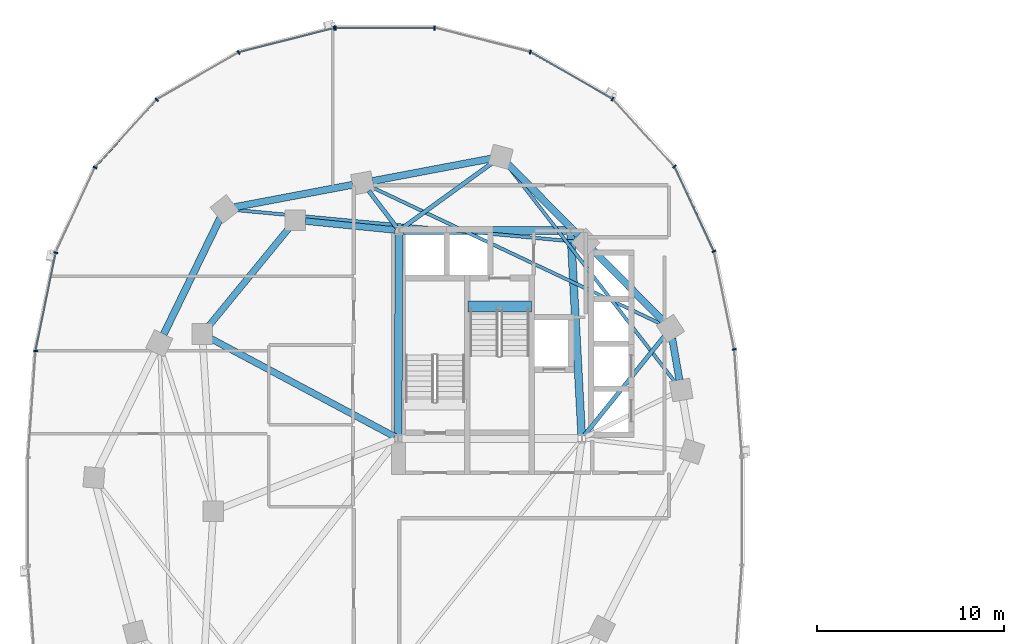
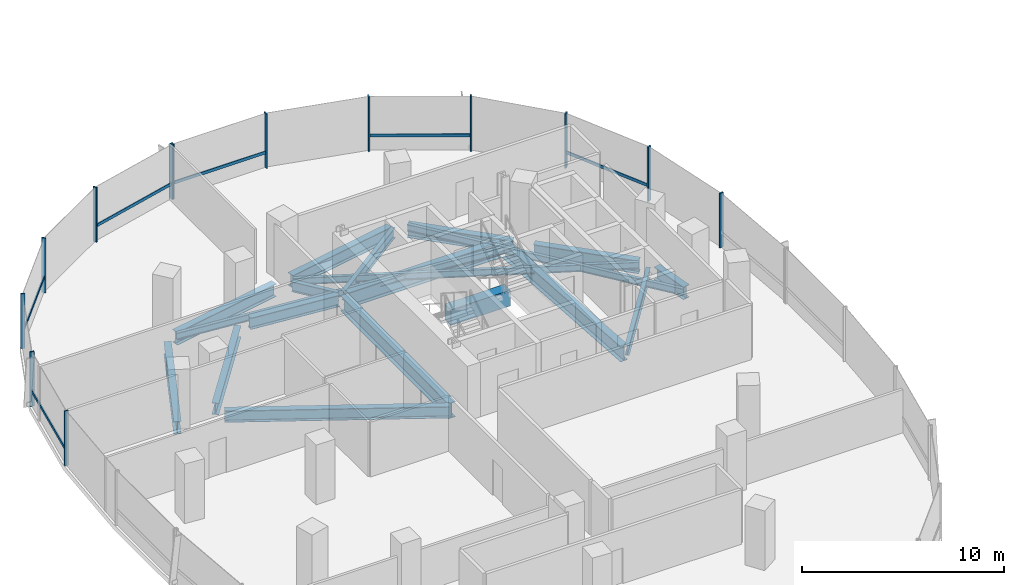
# One storey, part 4 of 21: 19 beams, 19 members, 2 elements without a shape of their own.
"""IFC4 building model written with IfcOpenShell, lengths in metres."""

from ifc_helpers import new_model, si_unit, direction, frame, origin, origin_2d, place, context, subcontext, project, spatial, rectangle, i_section, extrude, material, material_profile, profile_set, type_object, element, aggregate, save


model = new_model("IFC4")

# Units and contexts
model_context = context("Model", 3, precision=1e-05, world=origin(), true_north=direction((0.0, 1.0)))
body_context = subcontext(model_context, "Body", "Model", "MODEL_VIEW")
ifc_project = project(units=[si_unit("LENGTHUNIT", "METRE"), si_unit("AREAUNIT", "SQUARE_METRE"), si_unit("VOLUMEUNIT", "CUBIC_METRE"), si_unit("PLANEANGLEUNIT", "RADIAN"), si_unit("MASSUNIT", "GRAM", prefix="KILO"), si_unit("THERMODYNAMICTEMPERATUREUNIT", "KELVIN"), si_unit("POWERUNIT", "WATT")], contexts=[model_context])

# Site, building, storey
site_placement = place(None, origin())
site = spatial("IfcSite", under=ifc_project, at=site_placement, CompositionType="ELEMENT")
building_placement = place(site_placement, origin())
building = spatial("IfcBuilding", under=site, at=building_placement, Name="Cundina Bronze Exchange", CompositionType="ELEMENT")
storey_placement = place(building_placement, frame((0.0, 0.0, 107.0)))
storey = spatial("IfcBuildingStorey", under=building, at=storey_placement, Name="L27", CompositionType="ELEMENT", Elevation=107.0)

# Beams
ifc_material_1 = material(Name="Concrete C60/75", Category="concrete")
ifc_material_profile_1 = material_profile(ifc_material_1, rectangle(XDim=0.60009765625, YDim=0.949951171875, at=origin_2d()), Name="RC600X950", Category="concrete")
ifc_profile_set_1 = profile_set([ifc_material_profile_1], Name="Concrete C60/75")
beam_type_1 = type_object("IfcBeamType", Name="BM-COUP-RC950", PredefinedType="LINTEL", material=ifc_profile_set_1)
beam_1_placement = place(storey_placement, frame((-27.56005859375, 10.97998046875, -0.47509765625), z_axis=(1.0, 0.0, 0.0), x_axis=(0.0, 1.0, 0.0)))
element("IfcBeam", 1, at=beam_1_placement, inside=storey, type_object=beam_type_1, Name="L27 Stair W2 Landing Header Beam", PredefinedType="LINTEL", context=body_context, shape_type="SweptSolid", body=[
    extrude(rectangle(XDim=0.60009765625, YDim=0.949951171875, at=origin_2d()), origin(), (0.0, 0.0, 1.0), 3.400146484375),
])
ifc_material_2 = material(Name="Steel ASTM A992 Grade 50", Category="steel")
ifc_material_profile_2 = material_profile(ifc_material_2, i_section(OverallWidth=0.22998046875, OverallDepth=0.616943359375, WebThickness=0.01318359375, FlangeThickness=0.022216796875, FilletRadius=0.013916015625, at=origin_2d()), Name="W24X94", Category="steel")
ifc_profile_set_2 = profile_set([ifc_material_profile_2], Name="Steel ASTM A992 Grade 50")
beam_type_2 = type_object("IfcBeamType", Name="BM-FLR-W24B", PredefinedType="BEAM", material=ifc_profile_set_2)
beam_2_placement = place(storey_placement, frame((-21.322021484375, 4.058837890625, -0.6083984375), z_axis=(0.627106187843, 0.778933777139, 0.0), x_axis=(-0.778933777139, 0.627106187843, 0.0)))
element("IfcBeam", 2, at=beam_2_placement, inside=storey, type_object=beam_type_2, Name="L27 Leg W Radial Floor Beam 02", PredefinedType="BEAM", context=body_context, shape_type="SweptSolid", body=[
    extrude(i_section(OverallWidth=0.22998046875, OverallDepth=0.616943359375, WebThickness=0.01318359375, FlangeThickness=0.022216796875, FilletRadius=0.013916015625, at=origin_2d()), origin(), (0.0, 0.0, 1.0), 6.83251953125),
])
beam_3_placement = place(storey_placement, frame((-31.084716796875, 15.169677734375, -0.6083984375), z_axis=(0.809686957662, 0.586862020063, 0.0), x_axis=(-0.586862020063, 0.809686957662, 0.0)))
element("IfcBeam", 3, at=beam_3_placement, inside=storey, type_object=beam_type_2, Name="L27 Leg W Radial Floor Beam 04", PredefinedType="BEAM", context=body_context, shape_type="SweptSolid", body=[
    extrude(i_section(OverallWidth=0.22998046875, OverallDepth=0.616943359375, WebThickness=0.01318359375, FlangeThickness=0.022216796875, FilletRadius=0.013916015625, at=origin_2d()), origin(), (0.0, 0.0, 1.0), 5.98876953125),
])
beam_4_placement = place(storey_placement, frame((-31.373779296875, 15.2119140625, -0.6083984375), z_axis=(-0.607490490457, 0.79432695032, 0.0), x_axis=(-0.79432695032, -0.607490490457, 0.0)))
element("IfcBeam", 4, at=beam_4_placement, inside=storey, type_object=beam_type_2, Name="L27 Leg W Radial Floor Beam 05", PredefinedType="BEAM", context=body_context, shape_type="SweptSolid", body=[
    extrude(i_section(OverallWidth=0.22998046875, OverallDepth=0.616943359375, WebThickness=0.01318359375, FlangeThickness=0.022216796875, FilletRadius=0.013916015625, at=origin_2d()), origin(), (0.0, 0.0, 1.0), 2.46826171875),
])
ifc_material_profile_3 = material_profile(ifc_material_2, i_section(OverallWidth=0.178955078125, OverallDepth=0.409912109375, WebThickness=0.0087890625, FlangeThickness=0.014404296875, FilletRadius=0.010986328125, at=origin_2d()), Name="W16X45", Category="steel")
ifc_profile_set_3 = profile_set([ifc_material_profile_3], Name="Steel ASTM A992 Grade 50")
beam_type_3 = type_object("IfcBeamType", Name="BM-JST-W16", PredefinedType="JOIST", material=ifc_profile_set_3)
beam_5_placement = place(storey_placement, frame((-16.454345703125, 6.92529296875, -0.5048828125), z_axis=(-0.612065218806, 0.790807288742, 0.0), x_axis=(-0.790807288742, -0.612065218806, 0.0)))
element("IfcBeam", 5, at=beam_5_placement, inside=storey, type_object=beam_type_3, Name="L27 Leg W Lobe Floor Joist 01-04", PredefinedType="JOIST", context=body_context, shape_type="SweptSolid", body=[
    extrude(i_section(OverallWidth=0.178955078125, OverallDepth=0.409912109375, WebThickness=0.0087890625, FlangeThickness=0.014404296875, FilletRadius=0.010986328125, at=origin_2d()), origin(), (0.0, 0.0, 1.0), 14.73095703125),
])
beam_6_placement = place(storey_placement, frame((-17.186279296875, 10.02978515625, -0.5048828125), z_axis=(-0.904069270633, 0.427385954259, 0.0), x_axis=(-0.427385954259, -0.904069270633, 0.0)))
element("IfcBeam", 6, at=beam_6_placement, inside=storey, type_object=beam_type_3, Name="L27 Leg W Lobe Floor Joist 02-05", PredefinedType="JOIST", context=body_context, shape_type="SweptSolid", body=[
    extrude(i_section(OverallWidth=0.178955078125, OverallDepth=0.409912109375, WebThickness=0.0087890625, FlangeThickness=0.014404296875, FilletRadius=0.010986328125, at=origin_2d()), origin(), (0.0, 0.0, 1.0), 17.175048828125),
])
beam_7_placement = place(storey_placement, frame((-21.78564453125, 14.44970703125, -0.5048828125), z_axis=(-0.995700674022, 0.092629194921, 0.0), x_axis=(-0.092629194921, -0.995700674022, 0.0)))
element("IfcBeam", 7, at=beam_7_placement, inside=storey, type_object=beam_type_3, Name="L27 Leg W Lobe Floor Joist 03-06", PredefinedType="JOIST", context=body_context, shape_type="SweptSolid", body=[
    extrude(i_section(OverallWidth=0.178955078125, OverallDepth=0.409912109375, WebThickness=0.0087890625, FlangeThickness=0.014404296875, FilletRadius=0.010986328125, at=origin_2d()), origin(), (0.0, 0.0, 1.0), 18.357421875),
])
ifc_material_profile_4 = material_profile(ifc_material_2, i_section(OverallWidth=0.35498046875, OverallDepth=0.695068359375, WebThickness=0.015380859375, FlangeThickness=0.02490234375, FilletRadius=0.01806640625, at=origin_2d()), Name="W27X146", Category="steel")
ifc_profile_set_4 = profile_set([ifc_material_profile_4], Name="Steel ASTM A992 Grade 50")
beam_type_4 = type_object("IfcBeamType", Name="BM-RING-W27", PredefinedType="USERDEFINED", material=ifc_profile_set_4)
beam_8_placement = place(storey_placement, frame((-31.452880859375, 15.070068359375, -0.6474609375), z_axis=(-0.995126271817, 0.098608839051, 0.0), x_axis=(-0.098608839051, -0.995126271817, 0.0)))
element("IfcBeam", 8, at=beam_8_placement, inside=storey, type_object=beam_type_4, Name="L27 W Inner Structural Ring Girder 01", ObjectType="GIRDER", PredefinedType="USERDEFINED", context=body_context, shape_type="SweptSolid", body=[
    extrude(i_section(OverallWidth=0.35498046875, OverallDepth=0.695068359375, WebThickness=0.015380859375, FlangeThickness=0.02490234375, FilletRadius=0.01806640625, at=origin_2d()), origin(), (0.0, 0.0, 1.0), 4.83544921875),
])
beam_9_placement = place(storey_placement, frame((-37.14111328125, 15.183837890625, -0.6474609375), z_axis=(-0.633926549035, -0.773393257295, 0.0), x_axis=(0.773393257295, -0.633926549035, 0.0)))
element("IfcBeam", 9, at=beam_9_placement, inside=storey, type_object=beam_type_4, Name="L27 W Inner Structural Ring Girder 02", ObjectType="GIRDER", PredefinedType="USERDEFINED", context=body_context, shape_type="SweptSolid", body=[
    extrude(i_section(OverallWidth=0.35498046875, OverallDepth=0.695068359375, WebThickness=0.015380859375, FlangeThickness=0.02490234375, FilletRadius=0.01806640625, at=origin_2d()), origin(), (0.0, 0.0, 1.0), 6.811279296875),
])
beam_10_placement = place(storey_placement, frame((-31.47998046875, 3.99609375, -0.6474609375), z_axis=(-0.882354758239, 0.470584828286, 0.0), x_axis=(-0.470584828286, -0.882354758239, 0.0)))
element("IfcBeam", 10, at=beam_10_placement, inside=storey, type_object=beam_type_4, Name="L27 W Core-to-Waist Tie Beam 2", ObjectType="GIRDER", PredefinedType="USERDEFINED", context=body_context, shape_type="SweptSolid", body=[
    extrude(i_section(OverallWidth=0.35498046875, OverallDepth=0.695068359375, WebThickness=0.015380859375, FlangeThickness=0.02490234375, FilletRadius=0.01806640625, at=origin_2d()), origin(), (0.0, 0.0, 1.0), 11.157958984375),
])
ifc_material_profile_5 = material_profile(ifc_material_2, i_section(OverallWidth=0.381103515625, OverallDepth=0.77294921875, WebThickness=0.0166015625, FlangeThickness=0.027099609375, FilletRadius=0.01904296875, at=origin_2d()), Name="W30X173", Category="steel")
ifc_profile_set_5 = profile_set([ifc_material_profile_5], Name="Steel ASTM A992 Grade 50")
beam_type_5 = type_object("IfcBeamType", Name="BM-RING-W30", PredefinedType="USERDEFINED", material=ifc_profile_set_5)
beam_11_placement = place(storey_placement, frame((-16.21728515625, 7.030029296875, -0.6865234375), z_axis=(-0.171690078326, 0.985151012284, 0.0), x_axis=(-0.985151012284, -0.171690078326, 0.0)))
element("IfcBeam", 11, at=beam_11_placement, inside=storey, type_object=beam_type_5, Name="L27 W Perimeter Ring Girder 01", ObjectType="GIRDER", PredefinedType="USERDEFINED", context=body_context, shape_type="SweptSolid", body=[
    extrude(i_section(OverallWidth=0.381103515625, OverallDepth=0.77294921875, WebThickness=0.0166015625, FlangeThickness=0.027099609375, FilletRadius=0.01904296875, at=origin_2d()), origin(), (0.0, 0.0, 1.0), 2.273681640625),
])
for number, where, z_axis, x_axis, name in (
    (12, (-17.078369140625, 10.1826171875, -0.6865234375), (-0.703226342126, 0.7109660412, 0.0), (-0.7109660412, -0.703226342126, 0.0), "L27 W Perimeter Ring Girder 02"),
    (13, (-21.62841796875, 14.782470703125, -0.6865234375), (-0.703226342126, 0.7109660412, 0.0), (-0.7109660412, -0.703226342126, 0.0), "L27 W Perimeter Ring Girder 03"),
):
    element("IfcBeam", number, at=place(storey_placement, frame(where, z_axis=z_axis, x_axis=x_axis)), inside=storey, type_object=beam_type_5, Name=name, ObjectType="GIRDER", PredefinedType="USERDEFINED", context=body_context, shape_type="SweptSolid", body=[
        extrude(i_section(OverallWidth=0.381103515625, OverallDepth=0.77294921875, WebThickness=0.0166015625, FlangeThickness=0.027099609375, FilletRadius=0.01904296875, at=origin_2d()), origin(), (0.0, 0.0, 1.0), 5.39404296875),
    ])
for number, where, z_axis, x_axis, name in (
    (14, (-26.32861328125, 18.89990234375, -0.6865234375), (-0.98257117919, -0.185886733861, 0.0), (0.185886733861, -0.98257117919, 0.0), "L27 W Perimeter Ring Girder 04"),
    (15, (-33.728515625, 17.5, -0.6865234375), (-0.98257117919, -0.185886733861, 0.0), (0.185886733861, -0.98257117919, 0.0), "L27 W Perimeter Ring Girder 05"),
):
    element("IfcBeam", number, at=place(storey_placement, frame(where, z_axis=z_axis, x_axis=x_axis)), inside=storey, type_object=beam_type_5, Name=name, ObjectType="GIRDER", PredefinedType="USERDEFINED", context=body_context, shape_type="SweptSolid", body=[
        extrude(i_section(OverallWidth=0.381103515625, OverallDepth=0.77294921875, WebThickness=0.0166015625, FlangeThickness=0.027099609375, FilletRadius=0.01904296875, at=origin_2d()), origin(), (0.0, 0.0, 1.0), 6.455322265625),
    ])
beam_12_placement = place(storey_placement, frame((-40.835205078125, 15.716064453125, -0.6865234375), z_axis=(-0.437193894283, -0.899367276924, 0.0), x_axis=(0.899367276924, -0.437193894283, 0.0)))
element("IfcBeam", 16, at=beam_12_placement, inside=storey, type_object=beam_type_5, Name="L27 W Perimeter Ring Girder 06", ObjectType="GIRDER", PredefinedType="USERDEFINED", context=body_context, shape_type="SweptSolid", body=[
    extrude(i_section(OverallWidth=0.381103515625, OverallDepth=0.77294921875, WebThickness=0.0166015625, FlangeThickness=0.027099609375, FilletRadius=0.01904296875, at=origin_2d()), origin(), (0.0, 0.0, 1.0), 6.929443359375),
])
ifc_material_profile_6 = material_profile(ifc_material_2, i_section(OverallWidth=0.41796875, OverallDepth=0.927001953125, WebThickness=0.019287109375, FlangeThickness=0.031982421875, FilletRadius=0.02392578125, at=origin_2d()), Name="W36X231", Category="steel")
ifc_profile_set_6 = profile_set([ifc_material_profile_6], Name="Steel ASTM A992 Grade 50")
beam_type_6 = type_object("IfcBeamType", Name="BM-WRN-W36B", PredefinedType="USERDEFINED", material=ifc_profile_set_6)
beam_13_placement = place(storey_placement, frame((-21.4609375, 4.103759765625, -0.763427734375), z_axis=(-0.053739193498, 0.998555005537, 0.0), x_axis=(-0.998555005537, -0.053739193498, 0.0)))
element("IfcBeam", 17, at=beam_13_placement, inside=storey, type_object=beam_type_6, Name="L27 W Core Perimeter Tie Girder 2", ObjectType="GIRDER", PredefinedType="USERDEFINED", context=body_context, shape_type="SweptSolid", body=[
    extrude(i_section(OverallWidth=0.41796875, OverallDepth=0.927001953125, WebThickness=0.019287109375, FlangeThickness=0.031982421875, FilletRadius=0.02392578125, at=origin_2d()), origin(), (0.0, 0.0, 1.0), 10.758056640625),
])
beam_14_placement = place(storey_placement, frame((-22.25390625, 15.050048828125, -0.763427734375), z_axis=(-1.0, 0.0, 0.0), x_axis=(0.0, -1.0, 0.0)))
element("IfcBeam", 18, at=beam_14_placement, inside=storey, type_object=beam_type_6, Name="L27 W Core Perimeter Tie Girder 3", ObjectType="GIRDER", PredefinedType="USERDEFINED", context=body_context, shape_type="SweptSolid", body=[
    extrude(i_section(OverallWidth=0.41796875, OverallDepth=0.927001953125, WebThickness=0.019287109375, FlangeThickness=0.031982421875, FilletRadius=0.02392578125, at=origin_2d()), origin(), (0.0, 0.0, 1.0), 8.7919921875),
])
beam_15_placement = place(storey_placement, frame((-31.2509765625, 14.845947265625, -0.763427734375), z_axis=(-0.004477329608, -0.99998997671, 0.0), x_axis=(0.99998997671, -0.004477329608, 0.0)))
element("IfcBeam", 19, at=beam_15_placement, inside=storey, type_object=beam_type_6, Name="L27 W Core Perimeter Tie Girder 4", ObjectType="GIRDER", PredefinedType="USERDEFINED", context=body_context, shape_type="SweptSolid", body=[
    extrude(i_section(OverallWidth=0.41796875, OverallDepth=0.927001953125, WebThickness=0.019287109375, FlangeThickness=0.031982421875, FilletRadius=0.02392578125, at=origin_2d()), origin(), (0.0, 0.0, 1.0), 10.741943359375),
])

# Curtain wall, members
ifc_material_3 = material(Name="Anodised Bronze Aluminium 6063-T6", Category="aluminium")
curtain_wall_type = type_object("IfcCurtainWallType", Name="CWS-TRD-MID", PredefinedType="NOTDEFINED", material=ifc_material_3)
curtain_wall_1_placement = place(storey_placement, origin())
curtain_wall_1 = element("IfcCurtainWall", 20, at=curtain_wall_1_placement, inside=storey, type_object=curtain_wall_type, Name="L27 CW-03 Curtain Wall Run CWR-L27-W1", PredefinedType="NOTDEFINED")
ifc_material_profile_7 = material_profile(ifc_material_3, rectangle(XDim=0.074951171875, YDim=0.219970703125, at=origin_2d()), Name="AL75X220", Category="aluminium")
ifc_profile_set_7 = profile_set([ifc_material_profile_7], Name="Anodised Bronze Aluminium 6063-T6")
member_type_1 = type_object("IfcMemberType", Name="CWM-MUL-220", PredefinedType="MULLION", material=ifc_profile_set_7)
member_1_placement = place(storey_placement, frame((-13.282958984375, 8.67822265625, 0.0), z_axis=(0.0, 0.0, 1.0), x_axis=(-0.201419845156, 0.979505000486, 0.0)))
member_1 = element("IfcMember", 21, at=member_1_placement, type_object=member_type_1, Name="CW-03 Mullion 2", PredefinedType="MULLION", context=body_context, shape_type="SweptSolid", body=[
    extrude(rectangle(XDim=0.074951171875, YDim=0.219970703125, at=origin_2d()), origin(), (0.0, 0.0, 1.0), 3.300048828125),
])
member_2_placement = place(storey_placement, frame((-14.3720703125, 13.931884765625, 0.0), z_axis=(0.0, 0.0, 1.0), x_axis=(-0.42087749791, 0.907117485088, 0.0)))
member_2 = element("IfcMember", 22, at=member_2_placement, type_object=member_type_1, Name="CW-03 Mullion 3", PredefinedType="MULLION", context=body_context, shape_type="SweptSolid", body=[
    extrude(rectangle(XDim=0.074951171875, YDim=0.219970703125, at=origin_2d()), origin(), (0.0, 0.0, 1.0), 3.300048828125),
])
member_3_placement = place(storey_placement, frame((-16.491455078125, 18.47705078125, 0.0), z_axis=(0.0, 0.0, 1.0), x_axis=(-0.674302387584, 0.738455340626, 0.0)))
member_3 = element("IfcMember", 23, at=member_3_placement, type_object=member_type_1, Name="CW-03 Mullion 4", PredefinedType="MULLION", context=body_context, shape_type="SweptSolid", body=[
    extrude(rectangle(XDim=0.074951171875, YDim=0.219970703125, at=origin_2d()), origin(), (0.0, 0.0, 1.0), 3.300048828125),
])
member_4_placement = place(storey_placement, frame((-19.810302734375, 22.097412109375, 0.0), z_axis=(0.0, 0.0, 1.0), x_axis=(-0.867070701164, 0.498185105339, 0.0)))
member_4 = element("IfcMember", 24, at=member_4_placement, type_object=member_type_1, Name="CW-03 Mullion 5", PredefinedType="MULLION", context=body_context, shape_type="SweptSolid", body=[
    extrude(rectangle(XDim=0.074951171875, YDim=0.219970703125, at=origin_2d()), origin(), (0.0, 0.0, 1.0), 3.300048828125),
])
member_5_placement = place(storey_placement, frame((-24.21484375, 24.61669921875, 0.0), z_axis=(0.0, 0.0, 1.0), x_axis=(-0.969488149345, 0.245138182011, 0.0)))
member_5 = element("IfcMember", 25, at=member_5_placement, type_object=member_type_1, Name="CW-03 Mullion 6", PredefinedType="MULLION", context=body_context, shape_type="SweptSolid", body=[
    extrude(rectangle(XDim=0.074951171875, YDim=0.219970703125, at=origin_2d()), origin(), (0.0, 0.0, 1.0), 3.300048828125),
])
member_6_placement = place(storey_placement, frame((-29.345458984375, 25.905029296875, 0.0), z_axis=(0.0, 0.0, 1.0), x_axis=(-1.0, 0.0, 0.0)))
member_6 = element("IfcMember", 26, at=member_6_placement, type_object=member_type_1, Name="CW-03 Mullion 7", PredefinedType="MULLION", context=body_context, shape_type="SweptSolid", body=[
    extrude(rectangle(XDim=0.074951171875, YDim=0.219970703125, at=origin_2d()), origin(), (0.0, 0.0, 1.0), 3.300048828125),
])
member_7_placement = place(storey_placement, frame((-34.654541015625, 25.905029296875, 0.0), z_axis=(0.0, 0.0, 1.0), x_axis=(-1.0, 0.0, 0.0)))
member_7 = element("IfcMember", 27, at=member_7_placement, type_object=member_type_1, Name="CW-03 End Mullion", PredefinedType="MULLION", context=body_context, shape_type="SweptSolid", body=[
    extrude(rectangle(XDim=0.074951171875, YDim=0.219970703125, at=origin_2d()), origin(), (0.0, 0.0, 1.0), 3.300048828125),
])

curtain_wall_2_placement = place(storey_placement, origin())
curtain_wall_2 = element("IfcCurtainWall", 28, at=curtain_wall_2_placement, inside=storey, type_object=curtain_wall_type, Name="L27 CW-03 Curtain Wall Run CWR-L27-W2", PredefinedType="NOTDEFINED")
member_8_placement = place(storey_placement, frame((-34.72607421875, 25.89599609375, 0.0), z_axis=(0.0, 0.0, 1.0), x_axis=(-0.969488149345, -0.245138182011, 0.0)))
member_8 = element("IfcMember", 29, at=member_8_placement, type_object=member_type_1, Name="CW-03 Mullion 1", PredefinedType="MULLION", context=body_context, shape_type="SweptSolid", body=[
    extrude(rectangle(XDim=0.074951171875, YDim=0.219970703125, at=origin_2d()), origin(), (0.0, 0.0, 1.0), 3.300048828125),
])
member_9_placement = place(storey_placement, frame((-39.848876953125, 24.591064453125, 0.0), z_axis=(0.0, 0.0, 1.0), x_axis=(-0.867070701164, -0.498185105339, 0.0)))
member_9 = element("IfcMember", 30, at=member_9_placement, type_object=member_type_1, Name="CW-03 Mullion 2", PredefinedType="MULLION", context=body_context, shape_type="SweptSolid", body=[
    extrude(rectangle(XDim=0.074951171875, YDim=0.219970703125, at=origin_2d()), origin(), (0.0, 0.0, 1.0), 3.300048828125),
])
member_10_placement = place(storey_placement, frame((-44.239501953125, 22.0576171875, 0.0), z_axis=(0.0, 0.0, 1.0), x_axis=(-0.674302387584, -0.738455340626, 0.0)))
member_10 = element("IfcMember", 31, at=member_10_placement, type_object=member_type_1, Name="CW-03 Mullion 3", PredefinedType="MULLION", context=body_context, shape_type="SweptSolid", body=[
    extrude(rectangle(XDim=0.074951171875, YDim=0.219970703125, at=origin_2d()), origin(), (0.0, 0.0, 1.0), 3.300048828125),
])
member_11_placement = place(storey_placement, frame((-47.544189453125, 18.423583984375, 0.0), z_axis=(0.0, 0.0, 1.0), x_axis=(-0.42087749791, -0.907117485088, 0.0)))
member_11 = element("IfcMember", 32, at=member_11_placement, type_object=member_type_1, Name="CW-03 Mullion 4", PredefinedType="MULLION", context=body_context, shape_type="SweptSolid", body=[
    extrude(rectangle(XDim=0.074951171875, YDim=0.219970703125, at=origin_2d()), origin(), (0.0, 0.0, 1.0), 3.300048828125),
])
member_12_placement = place(storey_placement, frame((-49.651123046875, 13.861328125, 0.0), z_axis=(0.0, 0.0, 1.0), x_axis=(-0.201419845156, -0.979505000486, 0.0)))
member_12 = element("IfcMember", 33, at=member_12_placement, type_object=member_type_1, Name="CW-03 Mullion 5", PredefinedType="MULLION", context=body_context, shape_type="SweptSolid", body=[
    extrude(rectangle(XDim=0.074951171875, YDim=0.219970703125, at=origin_2d()), origin(), (0.0, 0.0, 1.0), 3.300048828125),
])
member_13_placement = place(storey_placement, frame((-50.72900390625, 8.591552734375, 0.0), z_axis=(0.0, 0.0, 1.0), x_axis=(-0.070278787473, -0.997527389113, 0.0)))
member_13 = element("IfcMember", 34, at=member_13_placement, type_object=member_type_1, Name="CW-03 Mullion 6", PredefinedType="MULLION", context=body_context, shape_type="SweptSolid", body=[
    extrude(rectangle(XDim=0.074951171875, YDim=0.219970703125, at=origin_2d()), origin(), (0.0, 0.0, 1.0), 3.300048828125),
])

# Member
ifc_material_profile_8 = material_profile(ifc_material_3, rectangle(XDim=0.070068359375, YDim=0.179931640625, at=origin_2d()), Name="AL70X180", Category="aluminium")
ifc_profile_set_8 = profile_set([ifc_material_profile_8], Name="Anodised Bronze Aluminium 6063-T6")
member_type_2 = type_object("IfcMemberType", Name="CWM-TRN-180", PredefinedType="USERDEFINED", material=ifc_profile_set_8)
member_14_placement = place(storey_placement, frame((-14.389404296875, 13.96923828125, 0.919921875), z_axis=(-0.420811422796, 0.907148139195, 0.0), x_axis=(-0.907148139195, -0.420811422796, 0.0)))
member_14 = element("IfcMember", 35, at=member_14_placement, type_object=member_type_2, Name="CW-03 Spandrel Transom 3", ObjectType="TRANSOM", PredefinedType="USERDEFINED", context=body_context, shape_type="SweptSolid", body=[
    extrude(rectangle(XDim=0.070068359375, YDim=0.179931640625, at=origin_2d()), origin(), (0.0, 0.0, 1.0), 4.95166015625),
])

member_15_placement = place(storey_placement, frame((-19.845947265625, 22.117919921875, 0.919921875), z_axis=(-0.867097475651, 0.498138502546, 0.0), x_axis=(-0.498138502546, -0.867097475651, 0.0)))
member_15 = element("IfcMember", 36, at=member_15_placement, type_object=member_type_2, Name="CW-03 Spandrel Transom 5", ObjectType="TRANSOM", PredefinedType="USERDEFINED", context=body_context, shape_type="SweptSolid", body=[
    extrude(rectangle(XDim=0.070068359375, YDim=0.179931640625, at=origin_2d()), origin(), (0.0, 0.0, 1.0), 5.00634765625),
])

member_16_placement = place(storey_placement, frame((-29.38671875, 25.905029296875, 0.919921875), z_axis=(-1.0, 0.0, 0.0), x_axis=(0.0, -1.0, 0.0)))
member_16 = element("IfcMember", 37, at=member_16_placement, type_object=member_type_2, Name="CW-03 Spandrel Transom 7", ObjectType="TRANSOM", PredefinedType="USERDEFINED", context=body_context, shape_type="SweptSolid", body=[
    extrude(rectangle(XDim=0.070068359375, YDim=0.179931640625, at=origin_2d()), origin(), (0.0, 0.0, 1.0), 5.2265625),
])

aggregate(curtain_wall_1, [member_1, member_2, member_14, member_3, member_4, member_15, member_5, member_6, member_7, member_16])

member_17_placement = place(storey_placement, frame((-34.76611328125, 25.885986328125, 0.919921875), z_axis=(-0.969483968866, -0.245154714644, 0.0), x_axis=(0.245154714644, -0.969483968866, 0.0)))
member_17 = element("IfcMember", 38, at=member_17_placement, type_object=member_type_2, Name="CW-03 Spandrel Transom 1", ObjectType="TRANSOM", PredefinedType="USERDEFINED", context=body_context, shape_type="SweptSolid", body=[
    extrude(rectangle(XDim=0.070068359375, YDim=0.179931640625, at=origin_2d()), origin(), (0.0, 0.0, 1.0), 5.21826171875),
])

member_18_placement = place(storey_placement, frame((-44.26708984375, 22.027099609375, 0.919921875), z_axis=(-0.674302794847, -0.738454968743, 0.0), x_axis=(0.738454968743, -0.674302794847, 0.0)))
member_18 = element("IfcMember", 39, at=member_18_placement, type_object=member_type_2, Name="CW-03 Spandrel Transom 3", ObjectType="TRANSOM", PredefinedType="USERDEFINED", context=body_context, shape_type="SweptSolid", body=[
    extrude(rectangle(XDim=0.070068359375, YDim=0.179931640625, at=origin_2d()), origin(), (0.0, 0.0, 1.0), 4.848388671875),
])

member_19_placement = place(storey_placement, frame((-49.659423828125, 13.821044921875, 0.919921875), z_axis=(-0.201427712708, -0.979503382615, 0.0), x_axis=(0.979503382615, -0.201427712708, 0.0)))
member_19 = element("IfcMember", 40, at=member_19_placement, type_object=member_type_2, Name="CW-03 Spandrel Transom 5", ObjectType="TRANSOM", PredefinedType="USERDEFINED", context=body_context, shape_type="SweptSolid", body=[
    extrude(rectangle(XDim=0.070068359375, YDim=0.179931640625, at=origin_2d()), origin(), (0.0, 0.0, 1.0), 5.291748046875),
])

aggregate(curtain_wall_2, [member_8, member_17, member_9, member_10, member_18, member_11, member_12, member_19, member_13])

save(model, "model.ifc")
